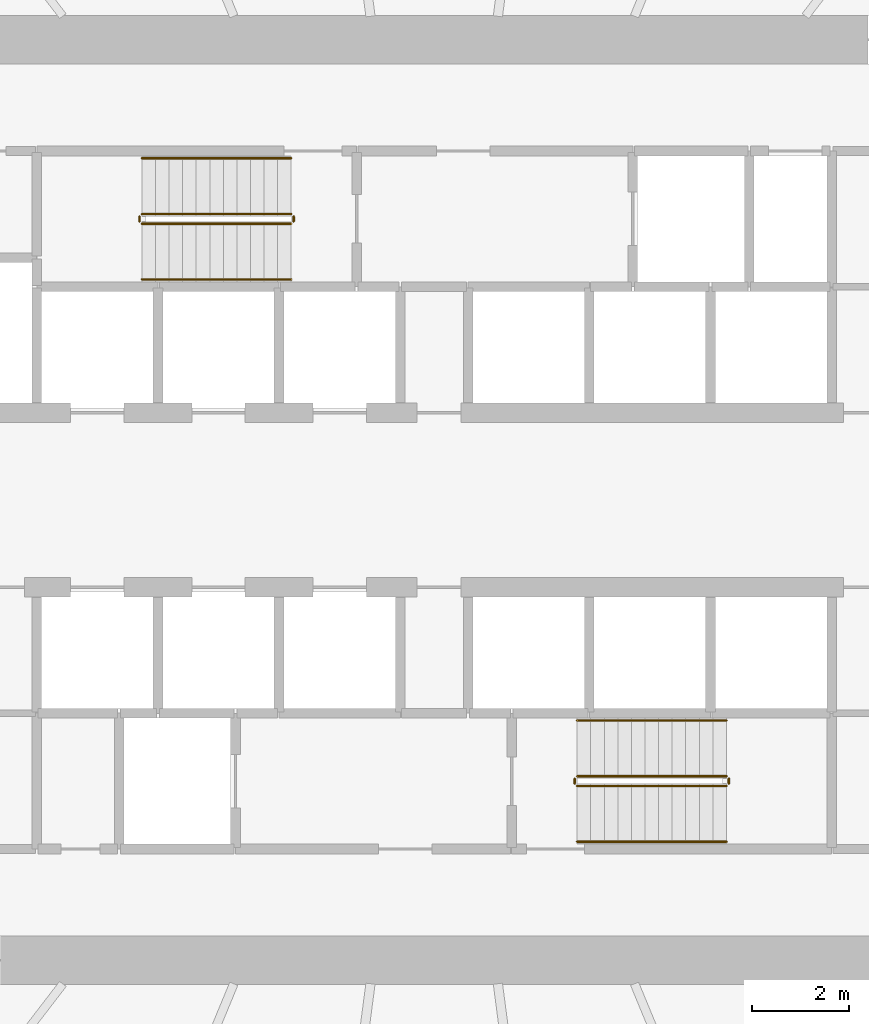
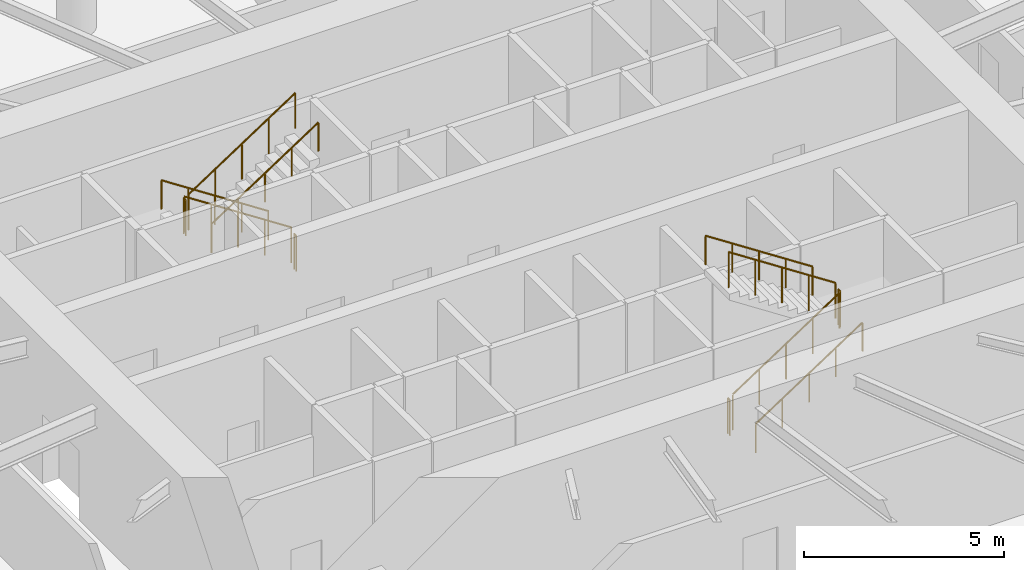
# One storey, part 18 of 19: 12 railings.
"""IFC4 building model written with IfcOpenShell, lengths in metres."""

from ifc_helpers import new_model, si_unit, direction, frame, origin, origin_2d, place, context, subcontext, project, spatial, circle, extrude, material, type_object, element, save


model = new_model("IFC4")

# Units and contexts
model_context = context("Model", 3, precision=1e-05, world=origin(), true_north=direction((0.0, 1.0)))
body_context = subcontext(model_context, "Body", "Model", "MODEL_VIEW")
ifc_project = project(units=[si_unit("LENGTHUNIT", "METRE"), si_unit("AREAUNIT", "SQUARE_METRE"), si_unit("VOLUMEUNIT", "CUBIC_METRE"), si_unit("PLANEANGLEUNIT", "RADIAN"), si_unit("MASSUNIT", "GRAM", prefix="KILO")], contexts=[model_context])

# Site, building, storey
site_placement = place(None, origin())
site = spatial("IfcSite", under=ifc_project, at=site_placement, CompositionType="ELEMENT")
building_placement = place(site_placement, origin())
building = spatial("IfcBuilding", under=site, at=building_placement, Name="Spindrift Exchange Tower", CompositionType="ELEMENT")
storey_placement = place(building_placement, frame((0.0, 0.0, 53.39990234375)))
storey = spatial("IfcBuildingStorey", under=building, at=storey_placement, Name="L12", CompositionType="ELEMENT", Elevation=53.39990234375)

# Railings
ifc_material_1 = material(Name="Steel balustrade", Category="steel")
railing_type_1 = type_object("IfcRailingType", Name="RL-STAIR-GUARD", PredefinedType="GUARDRAIL", material=ifc_material_1)
railing_1_placement = place(storey_placement, frame((49.050048828125, 53.89990234375, 0.183349609375)))
element("IfcRailing", 1, at=railing_1_placement, inside=storey, type_object=railing_type_1, Name="L12 ST1 stair guard 1", PredefinedType="GUARDRAIL", context=body_context, shape_type="SweptSolid", body=[
    extrude(circle(Radius=0.02392578125, at=origin_2d()), frame((0.0, 0.0, 1.076171875), z_axis=(-0.836602609513, 0.0, 0.547810253423), x_axis=(0.0, -1.0, 0.0)), (0.0, 0.0, 1.0), 3.681640625),
    extrude(circle(Radius=0.02099609375, at=origin_2d()), origin(), (0.0, 0.0, 1.0), 1.052001953125),
    extrude(circle(Radius=0.02099609375, at=origin_2d()), frame((-0.77001953125, 0.0, 0.504150390625)), (0.0, 0.0, 1.0), 1.052001953125),
    extrude(circle(Radius=0.02099609375, at=origin_2d()), frame((-1.5400390625, 0.0, 1.00830078125)), (0.0, 0.0, 1.0), 1.052001953125),
    extrude(circle(Radius=0.02099609375, at=origin_2d()), frame((-2.31005859375, 0.0, 1.5126953125)), (0.0, 0.0, 1.0), 1.052001953125),
    extrude(circle(Radius=0.02099609375, at=origin_2d()), frame((-3.080078125, 0.0, 2.016845703125)), (0.0, 0.0, 1.0), 1.052001953125),
])
railing_2_placement = place(storey_placement, frame((45.919921875, 53.85009765625, 2.2001953125)))
element("IfcRailing", 2, at=railing_2_placement, inside=storey, type_object=railing_type_1, Name="L12 ST1 stair guard 2", PredefinedType="GUARDRAIL", context=body_context, shape_type="SweptSolid", body=[
    extrude(circle(Radius=0.02392578125, at=origin_2d()), frame((0.0, 0.0, 1.076171875), z_axis=(0.0, -1.0, 0.0), x_axis=(1.0, 0.0, 0.0)), (0.0, 0.0, 1.0), 0.10009765625),
    extrude(circle(Radius=0.02099609375, at=origin_2d()), origin(), (0.0, 0.0, 1.0), 1.052001953125),
    extrude(circle(Radius=0.02099609375, at=origin_2d()), frame((0.0, -0.10009765625, 0.0)), (0.0, 0.0, 1.0), 1.052001953125),
])
railing_3_placement = place(storey_placement, frame((45.969970703125, 53.699951171875, 2.383544921875)))
element("IfcRailing", 3, at=railing_3_placement, inside=storey, type_object=railing_type_1, Name="L12 ST1 stair guard 3", PredefinedType="GUARDRAIL", context=body_context, shape_type="SweptSolid", body=[
    extrude(circle(Radius=0.02392578125, at=origin_2d()), frame((0.0, 0.0, 1.076171875), z_axis=(0.836633000464, 0.0, 0.547763838287), x_axis=(0.0, 1.0, 0.0)), (0.0, 0.0, 1.0), 3.681396484375),
    extrude(circle(Radius=0.02099609375, at=origin_2d()), origin(), (0.0, 0.0, 1.0), 1.052001953125),
    extrude(circle(Radius=0.02099609375, at=origin_2d()), frame((0.77001953125, 0.0, 0.504150390625)), (0.0, 0.0, 1.0), 1.052001953125),
    extrude(circle(Radius=0.02099609375, at=origin_2d()), frame((1.5400390625, 0.0, 1.00830078125)), (0.0, 0.0, 1.0), 1.052001953125),
    extrude(circle(Radius=0.02099609375, at=origin_2d()), frame((2.31005859375, 0.0, 1.512451171875)), (0.0, 0.0, 1.0), 1.052001953125),
    extrude(circle(Radius=0.02099609375, at=origin_2d()), frame((3.080078125, 0.0, 2.0166015625)), (0.0, 0.0, 1.0), 1.052001953125),
])
railing_4_placement = place(storey_placement, frame((49.10009765625, 53.85009765625, 0.0)))
element("IfcRailing", 4, at=railing_4_placement, inside=storey, type_object=railing_type_1, Name="L12 ST1 stair guard 4", PredefinedType="GUARDRAIL", context=body_context, shape_type="SweptSolid", body=[
    extrude(circle(Radius=0.02392578125, at=origin_2d()), frame((0.0, 0.0, 1.076171875), z_axis=(0.0, -1.0, 0.0), x_axis=(1.0, 0.0, 0.0)), (0.0, 0.0, 1.0), 0.10009765625),
    extrude(circle(Radius=0.02099609375, at=origin_2d()), origin(), (0.0, 0.0, 1.0), 1.052001953125),
    extrude(circle(Radius=0.02099609375, at=origin_2d()), frame((0.0, -0.10009765625, 0.0)), (0.0, 0.0, 1.0), 1.052001953125),
])
railing_5_placement = place(storey_placement, frame((54.949951171875, 42.10009765625, 0.183349609375)))
element("IfcRailing", 5, at=railing_5_placement, inside=storey, type_object=railing_type_1, Name="L12 ST2 stair guard 1", PredefinedType="GUARDRAIL", context=body_context, shape_type="SweptSolid", body=[
    extrude(circle(Radius=0.02392578125, at=origin_2d()), frame((0.0, 0.0, 1.076171875), z_axis=(0.836602609513, 0.0, 0.547810253423), x_axis=(0.0, 1.0, 0.0)), (0.0, 0.0, 1.0), 3.681640625),
    extrude(circle(Radius=0.02099609375, at=origin_2d()), origin(), (0.0, 0.0, 1.0), 1.052001953125),
    extrude(circle(Radius=0.02099609375, at=origin_2d()), frame((0.77001953125, 0.0, 0.504150390625)), (0.0, 0.0, 1.0), 1.052001953125),
    extrude(circle(Radius=0.02099609375, at=origin_2d()), frame((1.5400390625, 0.0, 1.00830078125)), (0.0, 0.0, 1.0), 1.052001953125),
    extrude(circle(Radius=0.02099609375, at=origin_2d()), frame((2.31005859375, 0.0, 1.5126953125)), (0.0, 0.0, 1.0), 1.052001953125),
    extrude(circle(Radius=0.02099609375, at=origin_2d()), frame((3.080078125, 0.0, 2.016845703125)), (0.0, 0.0, 1.0), 1.052001953125),
])
railing_6_placement = place(storey_placement, frame((58.080078125, 42.14990234375, 2.2001953125)))
element("IfcRailing", 6, at=railing_6_placement, inside=storey, type_object=railing_type_1, Name="L12 ST2 stair guard 2", PredefinedType="GUARDRAIL", context=body_context, shape_type="SweptSolid", body=[
    extrude(circle(Radius=0.02392578125, at=origin_2d()), frame((0.0, 0.0, 1.076171875), z_axis=(0.0, 1.0, 0.0), x_axis=(-1.0, 0.0, 0.0)), (0.0, 0.0, 1.0), 0.10009765625),
    extrude(circle(Radius=0.02099609375, at=origin_2d()), origin(), (0.0, 0.0, 1.0), 1.052001953125),
    extrude(circle(Radius=0.02099609375, at=origin_2d()), frame((0.0, 0.10009765625, 0.0)), (0.0, 0.0, 1.0), 1.052001953125),
])
railing_7_placement = place(storey_placement, frame((58.030029296875, 42.300048828125, 2.383544921875)))
element("IfcRailing", 7, at=railing_7_placement, inside=storey, type_object=railing_type_1, Name="L12 ST2 stair guard 3", PredefinedType="GUARDRAIL", context=body_context, shape_type="SweptSolid", body=[
    extrude(circle(Radius=0.02392578125, at=origin_2d()), frame((0.0, 0.0, 1.076171875), z_axis=(-0.836633000464, 0.0, 0.547763838287), x_axis=(0.0, -1.0, 0.0)), (0.0, 0.0, 1.0), 3.681396484375),
    extrude(circle(Radius=0.02099609375, at=origin_2d()), origin(), (0.0, 0.0, 1.0), 1.052001953125),
    extrude(circle(Radius=0.02099609375, at=origin_2d()), frame((-0.77001953125, 0.0, 0.504150390625)), (0.0, 0.0, 1.0), 1.052001953125),
    extrude(circle(Radius=0.02099609375, at=origin_2d()), frame((-1.5400390625, 0.0, 1.00830078125)), (0.0, 0.0, 1.0), 1.052001953125),
    extrude(circle(Radius=0.02099609375, at=origin_2d()), frame((-2.31005859375, 0.0, 1.512451171875)), (0.0, 0.0, 1.0), 1.052001953125),
    extrude(circle(Radius=0.02099609375, at=origin_2d()), frame((-3.080078125, 0.0, 2.0166015625)), (0.0, 0.0, 1.0), 1.052001953125),
])
railing_8_placement = place(storey_placement, frame((54.89990234375, 42.14990234375, 0.0)))
element("IfcRailing", 8, at=railing_8_placement, inside=storey, type_object=railing_type_1, Name="L12 ST2 stair guard 4", PredefinedType="GUARDRAIL", context=body_context, shape_type="SweptSolid", body=[
    extrude(circle(Radius=0.02392578125, at=origin_2d()), frame((0.0, 0.0, 1.076171875), z_axis=(0.0, 1.0, 0.0), x_axis=(-1.0, 0.0, 0.0)), (0.0, 0.0, 1.0), 0.10009765625),
    extrude(circle(Radius=0.02099609375, at=origin_2d()), origin(), (0.0, 0.0, 1.0), 1.052001953125),
    extrude(circle(Radius=0.02099609375, at=origin_2d()), frame((0.0, 0.10009765625, 0.0)), (0.0, 0.0, 1.0), 1.052001953125),
])
ifc_material_2 = material(Name="Steel tubular handrail", Category="steel")
railing_type_2 = type_object("IfcRailingType", Name="RL-STAIR-HAND", PredefinedType="HANDRAIL", material=ifc_material_2)
railing_9_placement = place(storey_placement, frame((49.050048828125, 55.050048828125, 0.183349609375)))
element("IfcRailing", 9, at=railing_9_placement, inside=storey, type_object=railing_type_2, Name="L12 ST1 stair handrail 1", PredefinedType="HANDRAIL", context=body_context, shape_type="SweptSolid", body=[
    extrude(circle(Radius=0.02392578125, at=origin_2d()), frame((0.0, 0.0, 0.8759765625), z_axis=(-0.836602609513, 0.0, 0.547810253423), x_axis=(0.0, -1.0, 0.0)), (0.0, 0.0, 1.0), 3.681640625),
    extrude(circle(Radius=0.02099609375, at=origin_2d()), origin(), (0.0, 0.0, 1.0), 0.851806640625),
    extrude(circle(Radius=0.02099609375, at=origin_2d()), frame((-0.77001953125, 0.0, 0.504150390625)), (0.0, 0.0, 1.0), 0.851806640625),
    extrude(circle(Radius=0.02099609375, at=origin_2d()), frame((-1.5400390625, 0.0, 1.00830078125)), (0.0, 0.0, 1.0), 0.851806640625),
    extrude(circle(Radius=0.02099609375, at=origin_2d()), frame((-2.31005859375, 0.0, 1.5126953125)), (0.0, 0.0, 1.0), 0.851806640625),
    extrude(circle(Radius=0.02099609375, at=origin_2d()), frame((-3.080078125, 0.0, 2.016845703125)), (0.0, 0.0, 1.0), 0.851806640625),
])
railing_10_placement = place(storey_placement, frame((45.969970703125, 52.550048828125, 2.383544921875)))
element("IfcRailing", 10, at=railing_10_placement, inside=storey, type_object=railing_type_2, Name="L12 ST1 stair handrail 2", PredefinedType="HANDRAIL", context=body_context, shape_type="SweptSolid", body=[
    extrude(circle(Radius=0.02392578125, at=origin_2d()), frame((0.0, 0.0, 0.8759765625), z_axis=(0.836633000464, 0.0, 0.547763838287), x_axis=(0.0, 1.0, 0.0)), (0.0, 0.0, 1.0), 3.681396484375),
    extrude(circle(Radius=0.02099609375, at=origin_2d()), origin(), (0.0, 0.0, 1.0), 0.851806640625),
    extrude(circle(Radius=0.02099609375, at=origin_2d()), frame((0.77001953125, 0.0, 0.504150390625)), (0.0, 0.0, 1.0), 0.851806640625),
    extrude(circle(Radius=0.02099609375, at=origin_2d()), frame((1.5400390625, 0.0, 1.00830078125)), (0.0, 0.0, 1.0), 0.851806640625),
    extrude(circle(Radius=0.02099609375, at=origin_2d()), frame((2.31005859375, 0.0, 1.512451171875)), (0.0, 0.0, 1.0), 0.851806640625),
    extrude(circle(Radius=0.02099609375, at=origin_2d()), frame((3.080078125, 0.0, 2.0166015625)), (0.0, 0.0, 1.0), 0.851806640625),
])
railing_11_placement = place(storey_placement, frame((54.949951171875, 40.949951171875, 0.183349609375)))
element("IfcRailing", 11, at=railing_11_placement, inside=storey, type_object=railing_type_2, Name="L12 ST2 stair handrail 1", PredefinedType="HANDRAIL", context=body_context, shape_type="SweptSolid", body=[
    extrude(circle(Radius=0.02392578125, at=origin_2d()), frame((0.0, 0.0, 0.8759765625), z_axis=(0.836602609513, 0.0, 0.547810253423), x_axis=(0.0, 1.0, 0.0)), (0.0, 0.0, 1.0), 3.681640625),
    extrude(circle(Radius=0.02099609375, at=origin_2d()), origin(), (0.0, 0.0, 1.0), 0.851806640625),
    extrude(circle(Radius=0.02099609375, at=origin_2d()), frame((0.77001953125, 0.0, 0.504150390625)), (0.0, 0.0, 1.0), 0.851806640625),
    extrude(circle(Radius=0.02099609375, at=origin_2d()), frame((1.5400390625, 0.0, 1.00830078125)), (0.0, 0.0, 1.0), 0.851806640625),
    extrude(circle(Radius=0.02099609375, at=origin_2d()), frame((2.31005859375, 0.0, 1.5126953125)), (0.0, 0.0, 1.0), 0.851806640625),
    extrude(circle(Radius=0.02099609375, at=origin_2d()), frame((3.080078125, 0.0, 2.016845703125)), (0.0, 0.0, 1.0), 0.851806640625),
])
railing_12_placement = place(storey_placement, frame((58.030029296875, 43.449951171875, 2.383544921875)))
element("IfcRailing", 12, at=railing_12_placement, inside=storey, type_object=railing_type_2, Name="L12 ST2 stair handrail 2", PredefinedType="HANDRAIL", context=body_context, shape_type="SweptSolid", body=[
    extrude(circle(Radius=0.02392578125, at=origin_2d()), frame((0.0, 0.0, 0.8759765625), z_axis=(-0.836633000464, 0.0, 0.547763838287), x_axis=(0.0, -1.0, 0.0)), (0.0, 0.0, 1.0), 3.681396484375),
    extrude(circle(Radius=0.02099609375, at=origin_2d()), origin(), (0.0, 0.0, 1.0), 0.851806640625),
    extrude(circle(Radius=0.02099609375, at=origin_2d()), frame((-0.77001953125, 0.0, 0.504150390625)), (0.0, 0.0, 1.0), 0.851806640625),
    extrude(circle(Radius=0.02099609375, at=origin_2d()), frame((-1.5400390625, 0.0, 1.00830078125)), (0.0, 0.0, 1.0), 0.851806640625),
    extrude(circle(Radius=0.02099609375, at=origin_2d()), frame((-2.31005859375, 0.0, 1.512451171875)), (0.0, 0.0, 1.0), 0.851806640625),
    extrude(circle(Radius=0.02099609375, at=origin_2d()), frame((-3.080078125, 0.0, 2.0166015625)), (0.0, 0.0, 1.0), 0.851806640625),
])

save(model, "model.ifc")
